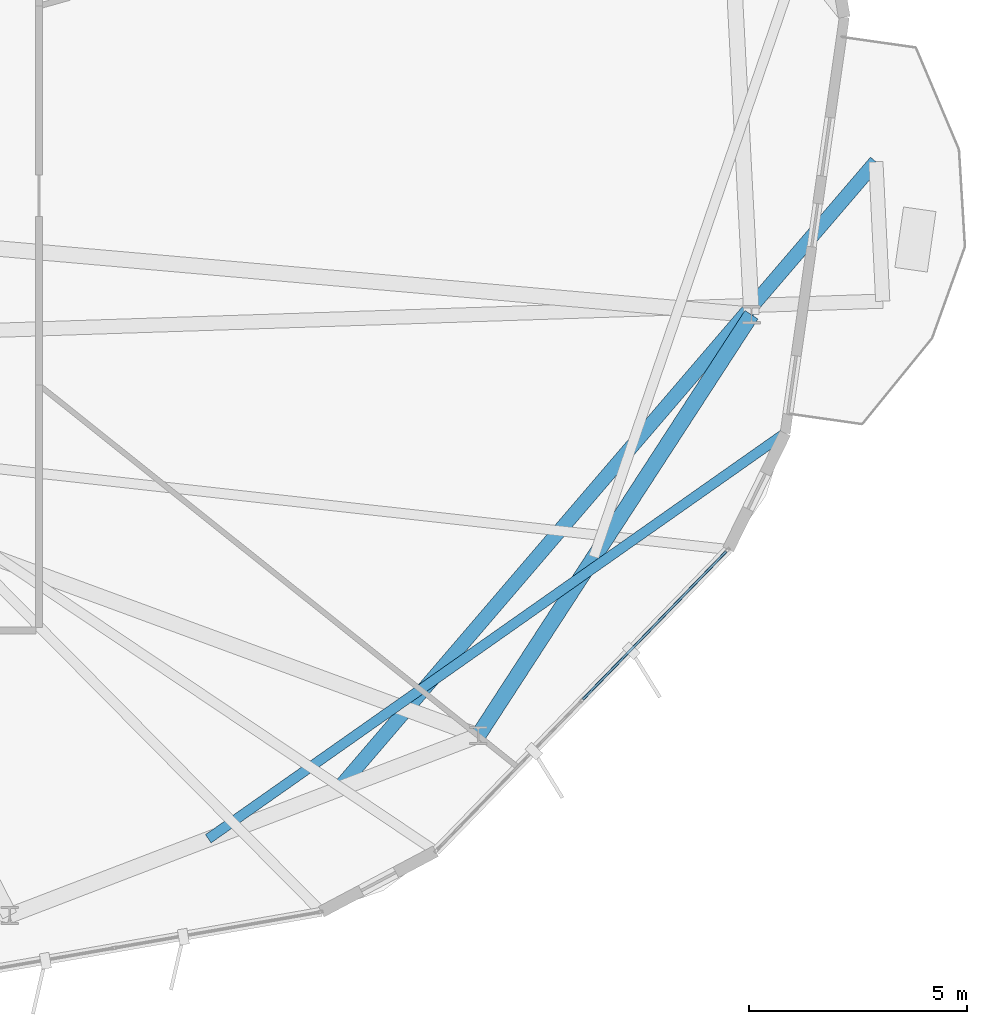
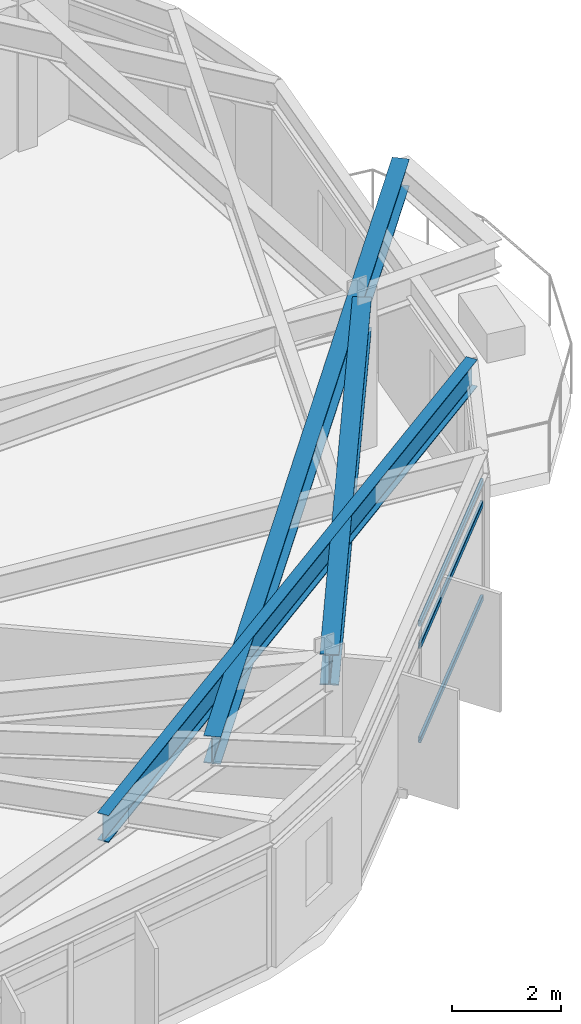
# One storey, part 12 of 28: 3 beams, 3 members, 1 element without a shape of its own.
"""IFC4 building model written with IfcOpenShell, lengths in metres."""

from ifc_helpers import new_model, si_unit, direction, frame, origin, origin_2d, place, context, subcontext, project, spatial, hollow_rectangle, i_section, extrude, material, layer, layer_set, material_profile, profile_set, type_object, element, aggregate, save


model = new_model("IFC4")

# Units and contexts
model_context = context("Model", 3, precision=1e-05, world=origin(), true_north=direction((0.0, 1.0)))
body_context = subcontext(model_context, "Body", "Model", "MODEL_VIEW")
ifc_project = project(units=[si_unit("LENGTHUNIT", "METRE"), si_unit("AREAUNIT", "SQUARE_METRE"), si_unit("VOLUMEUNIT", "CUBIC_METRE"), si_unit("PLANEANGLEUNIT", "RADIAN"), si_unit("MASSUNIT", "GRAM", prefix="KILO")], contexts=[model_context])

# Site, building, storey
site_placement = place(None, origin())
site = spatial("IfcSite", under=ifc_project, at=site_placement, CompositionType="ELEMENT")
building_placement = place(site_placement, origin())
building = spatial("IfcBuilding", under=site, at=building_placement, Name="Soratama Intermodal Tower", CompositionType="ELEMENT")
storey_placement = place(building_placement, frame((0.0, 0.0, 201.39990234375)))
storey = spatial("IfcBuildingStorey", under=building, at=storey_placement, Name="L50", CompositionType="ELEMENT", Elevation=201.39990234375)

# Beams
ifc_material_1 = material(Name="Structural steel ASTM A992 Grade 50", Category="steel")
ifc_material_profile_1 = material_profile(ifc_material_1, i_section(OverallWidth=0.324951171875, OverallDepth=0.615966796875, WebThickness=0.013916015625, FlangeThickness=0.021484375, FilletRadius=0.013916015625, at=origin_2d()), Name="W24X117")
ifc_profile_set_1 = profile_set([ifc_material_profile_1], Name="Structural steel ASTM A992 Grade 50")
beam_type_1 = type_object("IfcBeamType", Name="BM-CANT-W24X117", PredefinedType="BEAM", material=ifc_profile_set_1)
beam_1_placement = place(storey_placement, frame((53.51611328125, 9.341064453125, 2.9921875), z_axis=(0.650784990148, 0.759262073725, 0.0), x_axis=(-0.759262073725, 0.650784990148, 0.0)))
element("IfcBeam", 1, at=beam_1_placement, inside=storey, type_object=beam_type_1, Name="BM-L50-CANT-1-2", PredefinedType="BEAM", context=body_context, shape_type="SweptSolid", body=[
    extrude(i_section(OverallWidth=0.324951171875, OverallDepth=0.615966796875, WebThickness=0.013916015625, FlangeThickness=0.021484375, FilletRadius=0.013916015625, at=origin_2d()), origin(), (0.0, 0.0, 1.0), 18.8984375),
])
ifc_material_2 = material(Name="Structural steel ASTM A992 Grade 50", Category="steel")
ifc_material_profile_2 = material_profile(ifc_material_2, i_section(OverallWidth=0.35498046875, OverallDepth=0.695068359375, WebThickness=0.015380859375, FlangeThickness=0.02490234375, FilletRadius=0.01611328125, at=origin_2d()), Name="W27X146")
ifc_profile_set_2 = profile_set([ifc_material_profile_2], Name="Structural steel ASTM A992 Grade 50")
beam_type_2 = type_object("IfcBeamType", Name="BM-RING-W27X146", PredefinedType="BEAM", material=ifc_profile_set_2)
beam_2_placement = place(storey_placement, frame((56.705078125, 10.544921875, 2.95263671875), z_axis=(0.544637453764, 0.83867159482, 0.0), x_axis=(-0.83867159482, 0.544637453764, 0.0)))
element("IfcBeam", 2, at=beam_2_placement, inside=storey, type_object=beam_type_2, Name="BM-L50-RING-09", PredefinedType="BEAM", context=body_context, shape_type="SweptSolid", body=[
    extrude(i_section(OverallWidth=0.35498046875, OverallDepth=0.695068359375, WebThickness=0.015380859375, FlangeThickness=0.02490234375, FilletRadius=0.01611328125, at=origin_2d()), origin(), (0.0, 0.0, 1.0), 11.49560546875),
])
ifc_material_3 = material(Name="Structural steel ASTM A992 Grade 50", Category="steel")
ifc_material_profile_3 = material_profile(ifc_material_3, i_section(OverallWidth=0.22900390625, OverallDepth=0.612060546875, WebThickness=0.011962890625, FlangeThickness=0.01953125, FilletRadius=0.012939453125, at=origin_2d()), Name="W24X84")
ifc_profile_set_3 = profile_set([ifc_material_profile_3], Name="Structural steel ASTM A992 Grade 50")
beam_type_3 = type_object("IfcBeamType", Name="BM-TIE-W24X84", PredefinedType="BEAM", material=ifc_profile_set_3)
beam_3_placement = place(storey_placement, frame((50.52392578125, 8.18310546875, 2.994140625), z_axis=(0.818029269515, 0.575176593941, 0.0), x_axis=(-0.575176593941, 0.818029269515, 0.0)))
element("IfcBeam", 3, at=beam_3_placement, inside=storey, type_object=beam_type_3, Name="BM-L50-TIE0-09", PredefinedType="BEAM", context=body_context, shape_type="SweptSolid", body=[
    extrude(i_section(OverallWidth=0.22900390625, OverallDepth=0.612060546875, WebThickness=0.011962890625, FlangeThickness=0.01953125, FilletRadius=0.012939453125, at=origin_2d()), origin(), (0.0, 0.0, 1.0), 16.151123046875),
])

# Curtain wall, members
ifc_material_4 = material(Name="Double-glazed aluminium curtain wall", Category="aluminium")
ifc_layer = layer(ifc_material_4, 0.159912109375)
ifc_layer_set = layer_set([ifc_layer], Name="Double-glazed aluminium curtain wall")
curtain_wall_type = type_object("IfcCurtainWallType", Name="CW-SYS-5", PredefinedType="NOTDEFINED", material=ifc_layer_set)
curtain_wall_placement = place(storey_placement, origin())
curtain_wall = element("IfcCurtainWall", 4, at=curtain_wall_placement, inside=storey, type_object=curtain_wall_type, Name="L50 Faceted Curtain Wall F08", PredefinedType="NOTDEFINED")
ifc_material_5 = material(Name="Anodised aluminium AA 6063-T6", Category="aluminium")
ifc_material_profile_4 = material_profile(ifc_material_5, hollow_rectangle(XDim=0.06005859375, YDim=0.1298828125, WallThickness=0.0048828125, InnerFilletRadius=0.0048828125, OuterFilletRadius=0.010009765625, at=origin_2d()), Name="CWT130X60X5")
ifc_profile_set_4 = profile_set([ifc_material_profile_4], Name="Anodised aluminium AA 6063-T6")
member_type = type_object("IfcMemberType", Name="TT-CWT-2", PredefinedType="USERDEFINED", material=ifc_profile_set_4)
member_1_placement = place(storey_placement, frame((59.103271484375, 11.374755859375, 0.030029296875), z_axis=(0.695903559881, 0.718135248644, 0.0), x_axis=(-0.718135248644, 0.695903559881, 0.0)))
member_1 = element("IfcMember", 5, at=member_1_placement, type_object=member_type, Name="CW-5 transom 2.1", ObjectType="TRANSOM", PredefinedType="USERDEFINED", context=body_context, shape_type="SweptSolid", body=[
    extrude(hollow_rectangle(XDim=0.06005859375, YDim=0.1298828125, WallThickness=0.0048828125, InnerFilletRadius=0.0048828125, OuterFilletRadius=0.010009765625, at=origin_2d()), origin(), (0.0, 0.0, 1.0), 4.72216796875),
])
member_2_placement = place(storey_placement, frame((59.103271484375, 11.374755859375, 2.150146484375), z_axis=(0.695903559881, 0.718135248644, 0.0), x_axis=(-0.718135248644, 0.695903559881, 0.0)))
member_2 = element("IfcMember", 6, at=member_2_placement, type_object=member_type, Name="CW-5 transom 2.2", ObjectType="TRANSOM", PredefinedType="USERDEFINED", context=body_context, shape_type="SweptSolid", body=[
    extrude(hollow_rectangle(XDim=0.06005859375, YDim=0.1298828125, WallThickness=0.0048828125, InnerFilletRadius=0.0048828125, OuterFilletRadius=0.010009765625, at=origin_2d()), origin(), (0.0, 0.0, 1.0), 4.72216796875),
])
member_3_placement = place(storey_placement, frame((59.103271484375, 11.374755859375, 2.649169921875), z_axis=(0.695903559881, 0.718135248644, 0.0), x_axis=(-0.718135248644, 0.695903559881, 0.0)))
member_3 = element("IfcMember", 7, at=member_3_placement, type_object=member_type, Name="CW-5 transom 2.3", ObjectType="TRANSOM", PredefinedType="USERDEFINED", context=body_context, shape_type="SweptSolid", body=[
    extrude(hollow_rectangle(XDim=0.06005859375, YDim=0.1298828125, WallThickness=0.0048828125, InnerFilletRadius=0.0048828125, OuterFilletRadius=0.010009765625, at=origin_2d()), origin(), (0.0, 0.0, 1.0), 4.72216796875),
])
aggregate(curtain_wall, [member_1, member_2, member_3])

save(model, "model.ifc")
